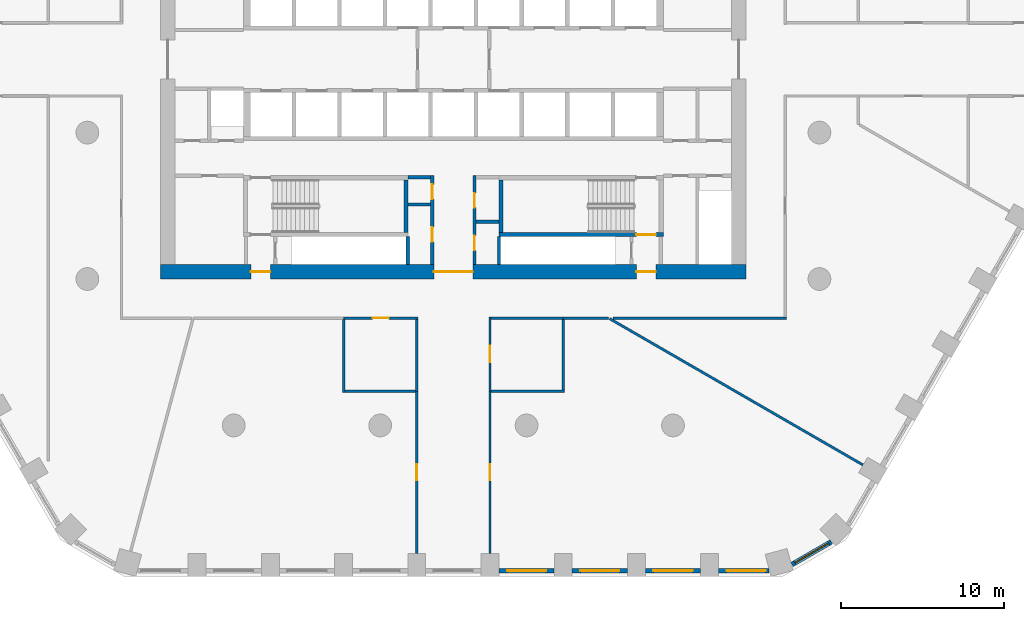
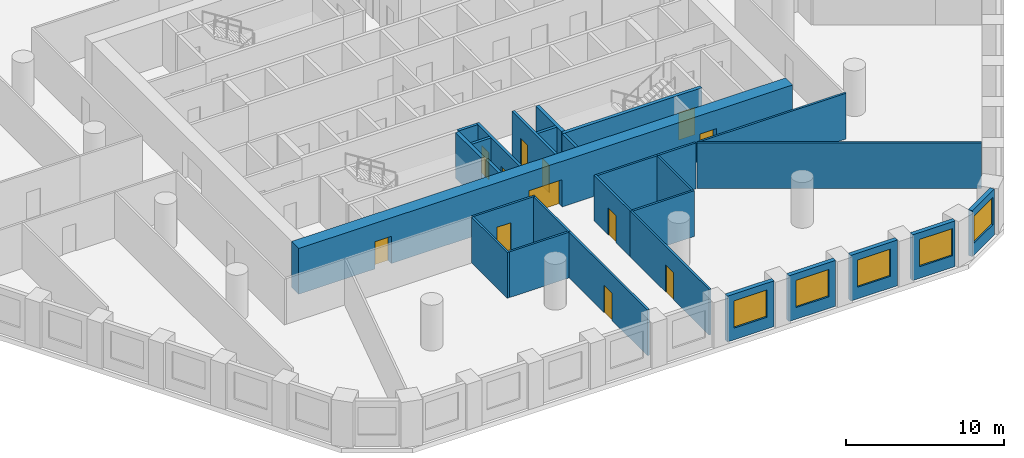
# One storey, part 3 of 10: 29 walls, 12 doors, 5 windows, 17 openings.
"""IFC4 building model written with IfcOpenShell, lengths in metres."""

from ifc_helpers import new_model, si_unit, direction, frame, frame_2d, origin, place, context, subcontext, project, spatial, rectangle, extrude, material, layer, layer_set, type_object, element, fill, save


model = new_model("IFC4")

# Units and contexts
model_context = context("Model", 3, precision=1e-05, world=origin(), true_north=direction((0.0, 1.0)))
body_context = subcontext(model_context, "Body", "Model", "MODEL_VIEW")
ifc_project = project(units=[si_unit("LENGTHUNIT", "METRE"), si_unit("AREAUNIT", "SQUARE_METRE"), si_unit("VOLUMEUNIT", "CUBIC_METRE"), si_unit("PLANEANGLEUNIT", "RADIAN"), si_unit("MASSUNIT", "GRAM", prefix="KILO")], contexts=[model_context])

# Site, building, storey
site_placement = place(None, origin())
site = spatial("IfcSite", under=ifc_project, at=site_placement, CompositionType="ELEMENT")
building_placement = place(site_placement, origin())
building = spatial("IfcBuilding", under=site, at=building_placement, Name="Dhurran Vertical Campus", CompositionType="ELEMENT")
storey_placement = place(building_placement, frame((0.0, 0.0, 69.0)))
storey = spatial("IfcBuildingStorey", under=building, at=storey_placement, Name="L16", CompositionType="ELEMENT", Elevation=69.0)

# Wall, opening, window
ifc_material_1 = material(Name="Precast concrete C50/60", Category="concrete")
ifc_layer_1 = layer(ifc_material_1, 0.300048828125)
ifc_layer_set_1 = layer_set([ifc_layer_1], Name="Precast concrete C50/60")
wall_type_1 = type_object("IfcWallType", Name="Precast spandrel wall 300", PredefinedType="SOLIDWALL", material=ifc_layer_set_1)
wall_1_placement = place(storey_placement, frame((2.800537109375, -31.4296875, 0.0), z_axis=(0.0, 0.0, 1.0), x_axis=(1.0, 0.0, 0.0)))
wall_1 = element("IfcWall", 1, at=wall_1_placement, inside=storey, type_object=wall_type_1, Name="EW1 L16.05", PredefinedType="SOLIDWALL", context=body_context, shape_type="SweptSolid", body=[
    extrude(rectangle(XDim=3.39892578125, YDim=0.300048828125, at=frame_2d((1.699462890625, 0.0))), origin(), (0.0, 0.0, 1.0), 3.52490234375),
])
opening_1_placement = place(wall_1_placement, frame((0.49951171875, 0.0, 0.89990234375)))
opening_1 = element("IfcOpeningElement", 2, at=opening_1_placement, cuts=wall_1, Name="Opening WT1", PredefinedType="OPENING", context=body_context, shape_type="SweptSolid", body=[
    extrude(rectangle(XDim=2.39990234375, YDim=2.10009765625, at=frame_2d((1.199951171875, 1.050048828125))), frame((0.0, 0.159912109375, 0.0), z_axis=(0.0, -1.0, 0.0), x_axis=(1.0, 0.0, 0.0)), (0.0, 0.0, 1.0), 0.320068359375),
])
ifc_material_2 = material(Name="Aluminium frame with solar-control glass", Category="aluminium")
window_type = type_object("IfcWindowType", Name="Punched window 2400 x 2100", PartitioningType="SINGLE_PANEL", PredefinedType="WINDOW", material=ifc_material_2)
window_1_placement = place(opening_1_placement, origin())
window_1 = element("IfcWindow", 3, at=window_1_placement, inside=storey, type_object=window_type, Name="WT1 L16.05", OverallHeight=2.10009765625, OverallWidth=2.39990234375, PartitioningType="SINGLE_PANEL", PredefinedType="WINDOW", context=body_context, shape_type="SweptSolid", body=[
    extrude(rectangle(XDim=2.39990234375, YDim=2.10009765625, at=frame_2d((1.199951171875, 1.050048828125))), frame((0.0, 0.030029296875, 0.0), z_axis=(0.0, -1.0, 0.0), x_axis=(1.0, 0.0, 0.0)), (0.0, 0.0, 1.0), 0.06005859375),
])
fill(opening_1, window_1)

wall_2_placement = place(storey_placement, frame((7.300537109375, -31.4296875, 0.0), z_axis=(0.0, 0.0, 1.0), x_axis=(1.0, 0.0, 0.0)))
wall_2 = element("IfcWall", 4, at=wall_2_placement, inside=storey, type_object=wall_type_1, Name="EW1 L16.06", PredefinedType="SOLIDWALL", context=body_context, shape_type="SweptSolid", body=[
    extrude(rectangle(XDim=3.39892578125, YDim=0.300048828125, at=frame_2d((1.699462890625, 0.0))), origin(), (0.0, 0.0, 1.0), 3.52490234375),
])
opening_2_placement = place(wall_2_placement, frame((0.49951171875, 0.0, 0.89990234375)))
opening_2 = element("IfcOpeningElement", 5, at=opening_2_placement, cuts=wall_2, Name="Opening WT1", PredefinedType="OPENING", context=body_context, shape_type="SweptSolid", body=[
    extrude(rectangle(XDim=2.39990234375, YDim=2.10009765625, at=frame_2d((1.199951171875, 1.050048828125))), frame((0.0, 0.159912109375, 0.0), z_axis=(0.0, -1.0, 0.0), x_axis=(1.0, 0.0, 0.0)), (0.0, 0.0, 1.0), 0.320068359375),
])
window_2_placement = place(opening_2_placement, origin())
window_2 = element("IfcWindow", 6, at=window_2_placement, inside=storey, type_object=window_type, Name="WT1 L16.06", OverallHeight=2.10009765625, OverallWidth=2.39990234375, PartitioningType="SINGLE_PANEL", PredefinedType="WINDOW", context=body_context, shape_type="SweptSolid", body=[
    extrude(rectangle(XDim=2.39990234375, YDim=2.10009765625, at=frame_2d((1.199951171875, 1.050048828125))), frame((0.0, 0.030029296875, 0.0), z_axis=(0.0, -1.0, 0.0), x_axis=(1.0, 0.0, 0.0)), (0.0, 0.0, 1.0), 0.06005859375),
])
fill(opening_2, window_2)

wall_3_placement = place(storey_placement, frame((11.800537109375, -31.4296875, 0.0), z_axis=(0.0, 0.0, 1.0), x_axis=(1.0, 0.0, 0.0)))
wall_3 = element("IfcWall", 7, at=wall_3_placement, inside=storey, type_object=wall_type_1, Name="EW1 L16.07", PredefinedType="SOLIDWALL", context=body_context, shape_type="SweptSolid", body=[
    extrude(rectangle(XDim=3.39892578125, YDim=0.300048828125, at=frame_2d((1.699462890625, 0.0))), origin(), (0.0, 0.0, 1.0), 3.52490234375),
])
opening_3_placement = place(wall_3_placement, frame((0.49951171875, 0.0, 0.89990234375)))
opening_3 = element("IfcOpeningElement", 8, at=opening_3_placement, cuts=wall_3, Name="Opening WT1", PredefinedType="OPENING", context=body_context, shape_type="SweptSolid", body=[
    extrude(rectangle(XDim=2.39990234375, YDim=2.10009765625, at=frame_2d((1.199951171875, 1.050048828125))), frame((0.0, 0.159912109375, 0.0), z_axis=(0.0, -1.0, 0.0), x_axis=(1.0, 0.0, 0.0)), (0.0, 0.0, 1.0), 0.320068359375),
])
window_3_placement = place(opening_3_placement, origin())
window_3 = element("IfcWindow", 9, at=window_3_placement, inside=storey, type_object=window_type, Name="WT1 L16.07", OverallHeight=2.10009765625, OverallWidth=2.39990234375, PartitioningType="SINGLE_PANEL", PredefinedType="WINDOW", context=body_context, shape_type="SweptSolid", body=[
    extrude(rectangle(XDim=2.39990234375, YDim=2.10009765625, at=frame_2d((1.199951171875, 1.050048828125))), frame((0.0, 0.030029296875, 0.0), z_axis=(0.0, -1.0, 0.0), x_axis=(1.0, 0.0, 0.0)), (0.0, 0.0, 1.0), 0.06005859375),
])
fill(opening_3, window_3)

wall_4_placement = place(storey_placement, frame((16.300537109375, -31.4296875, 0.0), z_axis=(0.0, 0.0, 1.0), x_axis=(1.0, 0.0, 0.0)))
wall_4 = element("IfcWall", 10, at=wall_4_placement, inside=storey, type_object=wall_type_1, Name="EW1 L16.08", PredefinedType="SOLIDWALL", context=body_context, shape_type="SweptSolid", body=[
    extrude(rectangle(XDim=3.090576171875, YDim=0.300048828125, at=frame_2d((1.54541015625, 0.0))), origin(), (0.0, 0.0, 1.0), 3.52490234375),
])
opening_4_placement = place(wall_4_placement, frame((0.49951171875, 0.0, 0.89990234375)))
opening_4 = element("IfcOpeningElement", 11, at=opening_4_placement, cuts=wall_4, Name="Opening WT1", PredefinedType="OPENING", context=body_context, shape_type="SweptSolid", body=[
    extrude(rectangle(XDim=2.39990234375, YDim=2.10009765625, at=frame_2d((1.199951171875, 1.050048828125))), frame((0.0, 0.159912109375, 0.0), z_axis=(0.0, -1.0, 0.0), x_axis=(1.0, 0.0, 0.0)), (0.0, 0.0, 1.0), 0.320068359375),
])
window_4_placement = place(opening_4_placement, origin())
window_4 = element("IfcWindow", 12, at=window_4_placement, inside=storey, type_object=window_type, Name="WT1 L16.08", OverallHeight=2.10009765625, OverallWidth=2.39990234375, PartitioningType="SINGLE_PANEL", PredefinedType="WINDOW", context=body_context, shape_type="SweptSolid", body=[
    extrude(rectangle(XDim=2.39990234375, YDim=2.10009765625, at=frame_2d((1.199951171875, 1.050048828125))), frame((0.0, 0.030029296875, 0.0), z_axis=(0.0, -1.0, 0.0), x_axis=(1.0, 0.0, 0.0)), (0.0, 0.0, 1.0), 0.06005859375),
])
fill(opening_4, window_4)

wall_5_placement = place(storey_placement, frame((20.81884765625, -31.047119140625, 0.0), z_axis=(0.0, 0.0, 1.0), x_axis=(0.866020456713, 0.500008568482, 0.0)))
wall_5 = element("IfcWall", 13, at=wall_5_placement, inside=storey, type_object=wall_type_1, Name="EW1 L16.09", PredefinedType="SOLIDWALL", context=body_context, shape_type="SweptSolid", body=[
    extrude(rectangle(XDim=2.7822265625, YDim=0.300048828125, at=frame_2d((1.39111328125, 0.0))), origin(), (0.0, 0.0, 1.0), 3.52490234375),
])
opening_5_placement = place(wall_5_placement, frame((0.191162109375, 0.0, 0.89990234375)))
opening_5 = element("IfcOpeningElement", 14, at=opening_5_placement, cuts=wall_5, Name="Opening WT1", PredefinedType="OPENING", context=body_context, shape_type="SweptSolid", body=[
    extrude(rectangle(XDim=2.39990234375, YDim=2.10009765625, at=frame_2d((1.199951171875, 1.050048828125))), frame((0.0, 0.159912109375, 0.0), z_axis=(0.0, -1.0, 0.0), x_axis=(1.0, 0.0, 0.0)), (0.0, 0.0, 1.0), 0.320068359375),
])
window_5_placement = place(opening_5_placement, origin())
window_5 = element("IfcWindow", 15, at=window_5_placement, inside=storey, type_object=window_type, Name="WT1 L16.09", OverallHeight=2.10009765625, OverallWidth=2.39990234375, PartitioningType="SINGLE_PANEL", PredefinedType="WINDOW", context=body_context, shape_type="SweptSolid", body=[
    extrude(rectangle(XDim=2.39990234375, YDim=2.10009765625, at=frame_2d((1.199951171875, 1.050048828125))), frame((0.0, 0.030029296875, 0.0), z_axis=(0.0, -1.0, 0.0), x_axis=(1.0, 0.0, 0.0)), (0.0, 0.0, 1.0), 0.06005859375),
])
fill(opening_5, window_5)

# Wall, openings, doors
ifc_material_3 = material(Name="Concrete C60/75", Category="concrete")
ifc_layer_2 = layer(ifc_material_3, 0.89990234375)
ifc_layer_set_2 = layer_set([ifc_layer_2], Name="Concrete C60/75")
wall_type_2 = type_object("IfcWallType", Name="co-CORE-WALL-C0-900", PredefinedType="SHEAR", material=ifc_layer_set_2)
wall_6_placement = place(storey_placement, frame((-18.0, -13.050048828125, 0.0), z_axis=(0.0, 0.0, 1.0), x_axis=(1.0, 0.0, 0.0)))
wall_6 = element("IfcWall", 16, at=wall_6_placement, inside=storey, type_object=wall_type_2, Name="Core wall S L16", PredefinedType="SHEAR", context=body_context, shape_type="SweptSolid", body=[
    extrude(rectangle(XDim=36.0, YDim=0.89990234375, at=frame_2d((18.0, 0.0))), origin(), (0.0, 0.0, 1.0), 3.52490234375),
])
opening_6_placement = place(wall_6_placement, frame((16.800048828125, 0.0, 0.0)))
opening_6 = element("IfcOpeningElement", 17, at=opening_6_placement, cuts=wall_6, Name="Opening CV2", PredefinedType="OPENING", context=body_context, shape_type="SweptSolid", body=[
    extrude(rectangle(XDim=2.39990234375, YDim=2.10009765625, at=frame_2d((1.199951171875, 1.050048828125))), frame((0.0, 0.4599609375, 0.0), z_axis=(0.0, -1.0, 0.0), x_axis=(1.0, 0.0, 0.0)), (0.0, 0.0, 1.0), 0.919921875),
])
opening_7_placement = place(wall_6_placement, frame((5.550048828125, 0.0, 0.0)))
opening_7 = element("IfcOpeningElement", 18, at=opening_7_placement, cuts=wall_6, Name="Opening XD3", PredefinedType="OPENING", context=body_context, shape_type="SweptSolid", body=[
    extrude(rectangle(XDim=1.199951171875, YDim=2.10009765625, at=frame_2d((0.60009765625, 1.050048828125))), frame((0.0, 0.4599609375, 0.0), z_axis=(0.0, -1.0, 0.0), x_axis=(1.0, 0.0, 0.0)), (0.0, 0.0, 1.0), 0.919921875),
])
opening_8_placement = place(wall_6_placement, frame((29.25, 0.0, 0.0)))
opening_8 = element("IfcOpeningElement", 19, at=opening_8_placement, cuts=wall_6, Name="Opening XD4", PredefinedType="OPENING", context=body_context, shape_type="SweptSolid", body=[
    extrude(rectangle(XDim=1.199951171875, YDim=2.10009765625, at=frame_2d((0.60009765625, 1.050048828125))), frame((0.0, 0.4599609375, 0.0), z_axis=(0.0, -1.0, 0.0), x_axis=(1.0, 0.0, 0.0)), (0.0, 0.0, 1.0), 0.919921875),
])
ifc_material_4 = material(Name="Fire-rated glazed door set")
door_type_1 = type_object("IfcDoorType", Name="co-D-LOBBY 2400x2100", OperationType="DOUBLE_DOOR_DOUBLE_SWING", PredefinedType="DOOR", material=ifc_material_4)
door_1_placement = place(opening_6_placement, origin())
door_1 = element("IfcDoor", 20, at=door_1_placement, inside=storey, type_object=door_type_1, Name="Core vestibule door S L16", OperationType="DOUBLE_DOOR_DOUBLE_SWING", OverallHeight=2.10009765625, OverallWidth=2.39990234375, PredefinedType="DOOR", context=body_context, shape_type="SweptSolid", body=[
    extrude(rectangle(XDim=2.39990234375, YDim=2.10009765625, at=frame_2d((1.199951171875, 1.050048828125))), frame((0.0, 0.02490234375, 0.0), z_axis=(0.0, -1.0, 0.0), x_axis=(1.0, 0.0, 0.0)), (0.0, 0.0, 1.0), 0.050048828125),
])
fill(opening_6, door_1)
ifc_material_5 = material(Name="Fire-rated steel door set", Category="steel")
door_type_2 = type_object("IfcDoorType", Name="co-D-STAIR-EXIT 1200x2100", OperationType="SINGLE_SWING_RIGHT", PredefinedType="DOOR", material=ifc_material_5)
door_2_placement = place(opening_7_placement, origin())
door_2 = element("IfcDoor", 21, at=door_2_placement, inside=storey, type_object=door_type_2, Name="Stair ST3 exit door L16", OperationType="SINGLE_SWING_RIGHT", OverallHeight=2.10009765625, OverallWidth=1.199951171875, PredefinedType="DOOR", context=body_context, shape_type="SweptSolid", body=[
    extrude(rectangle(XDim=1.199951171875, YDim=2.10009765625, at=frame_2d((0.60009765625, 1.050048828125))), frame((0.0, 0.02490234375, 0.0), z_axis=(0.0, -1.0, 0.0), x_axis=(1.0, 0.0, 0.0)), (0.0, 0.0, 1.0), 0.050048828125),
])
fill(opening_7, door_2)
door_3_placement = place(opening_8_placement, origin())
door_3 = element("IfcDoor", 22, at=door_3_placement, inside=storey, type_object=door_type_2, Name="Stair ST4 exit door L16", OperationType="SINGLE_SWING_RIGHT", OverallHeight=2.10009765625, OverallWidth=1.199951171875, PredefinedType="DOOR", context=body_context, shape_type="SweptSolid", body=[
    extrude(rectangle(XDim=1.199951171875, YDim=2.10009765625, at=frame_2d((0.60009765625, 1.050048828125))), frame((0.0, 0.02490234375, 0.0), z_axis=(0.0, -1.0, 0.0), x_axis=(1.0, 0.0, 0.0)), (0.0, 0.0, 1.0), 0.050048828125),
])
fill(opening_8, door_3)

# Walls
ifc_material_6 = material(Name="Fire-rated masonry blockwork", Category="masonry")
ifc_layer_3 = layer(ifc_material_6, 0.199951171875)
ifc_layer_set_3 = layer_set([ifc_layer_3], Name="Fire-rated masonry blockwork")
wall_type_3 = type_object("IfcWallType", Name="co-FIRE-PARTITION-200", PredefinedType="PARTITIONING", material=ifc_layer_set_3)
for number, where, z_axis, x_axis, name in (
    (23, (-2.800048828125, -7.25, 0.0), (0.0, 0.0, 1.0), (1.0, 0.0, 0.0), "Core partition sl-SW-S L16"),
    (24, (-2.800048828125, -8.925048828125, 0.0), (0.0, 0.0, 1.0), (1.0, 0.0, 0.0), "Core partition sl-SW-cut0 L16"),
    (25, (1.39990234375, -9.97509765625, 0.0), (0.0, 0.0, 1.0), (1.0, 0.0, 0.0), "Core partition sl-SE-cut0 L16"),
):
    element("IfcWall", number, at=place(storey_placement, frame(where, z_axis=z_axis, x_axis=x_axis)), inside=storey, type_object=wall_type_3, Name=name, PredefinedType="PARTITIONING", context=body_context, shape_type="SweptSolid", body=[
        extrude(rectangle(XDim=1.400146484375, YDim=0.199951171875, at=frame_2d((0.7001953125, 0.0))), origin(), (0.0, 0.0, 1.0), 3.52490234375),
    ])

# Wall, openings, doors
wall_7_placement = place(storey_placement, frame((-1.300048828125, -12.60009765625, 0.0), z_axis=(0.0, 0.0, 1.0), x_axis=(0.0, 1.0, 0.0)))
wall_7 = element("IfcWall", 26, at=wall_7_placement, inside=storey, type_object=wall_type_3, Name="Core partition vest-SW L16", PredefinedType="PARTITIONING", context=body_context, shape_type="SweptSolid", body=[
    extrude(rectangle(XDim=5.4501953125, YDim=0.199951171875, at=frame_2d((2.72509765625, 0.0))), origin(), (0.0, 0.0, 1.0), 3.52490234375),
])
opening_9_placement = place(wall_7_placement, frame((1.387451171875, 0.0, 0.0)))
opening_9 = element("IfcOpeningElement", 27, at=opening_9_placement, cuts=wall_7, Name="Opening T04-C1", PredefinedType="OPENING", context=body_context, shape_type="SweptSolid", body=[
    extrude(rectangle(XDim=0.89990234375, YDim=2.10009765625, at=frame_2d((0.449951171875, 1.050048828125))), frame((0.0, 0.10986328125, 0.0), z_axis=(0.0, -1.0, 0.0), x_axis=(1.0, 0.0, 0.0)), (0.0, 0.0, 1.0), 0.219970703125),
])
opening_10_placement = place(wall_7_placement, frame((4.012451171875, 0.0, 0.0)))
opening_10 = element("IfcOpeningElement", 28, at=opening_10_placement, cuts=wall_7, Name="Opening T04-C2", PredefinedType="OPENING", context=body_context, shape_type="SweptSolid", body=[
    extrude(rectangle(XDim=0.89990234375, YDim=2.10009765625, at=frame_2d((0.449951171875, 1.050048828125))), frame((0.0, 0.10986328125, 0.0), z_axis=(0.0, -1.0, 0.0), x_axis=(1.0, 0.0, 0.0)), (0.0, 0.0, 1.0), 0.219970703125),
])
ifc_material_7 = material(Name="Fire-rated timber door set", Category="wood")
door_type_3 = type_object("IfcDoorType", Name="co-D-ROOM 900x2100", OperationType="SINGLE_SWING_LEFT", PredefinedType="DOOR", material=ifc_material_7)
door_4_placement = place(opening_9_placement, origin())
door_4 = element("IfcDoor", 29, at=door_4_placement, inside=storey, type_object=door_type_3, Name="Housekeeping store door L16", OperationType="SINGLE_SWING_LEFT", OverallHeight=2.10009765625, OverallWidth=0.89990234375, PredefinedType="DOOR", context=body_context, shape_type="SweptSolid", body=[
    extrude(rectangle(XDim=0.89990234375, YDim=2.10009765625, at=frame_2d((0.449951171875, 1.050048828125))), frame((0.0, 0.02490234375, 0.0), z_axis=(0.0, -1.0, 0.0), x_axis=(1.0, 0.0, 0.0)), (0.0, 0.0, 1.0), 0.050048828125),
])
fill(opening_9, door_4)
door_5_placement = place(opening_10_placement, origin())
door_5 = element("IfcDoor", 30, at=door_5_placement, inside=storey, type_object=door_type_3, Name="Server room door L16", OperationType="SINGLE_SWING_LEFT", OverallHeight=2.10009765625, OverallWidth=0.89990234375, PredefinedType="DOOR", context=body_context, shape_type="SweptSolid", body=[
    extrude(rectangle(XDim=0.89990234375, YDim=2.10009765625, at=frame_2d((0.449951171875, 1.050048828125))), frame((0.0, 0.02490234375, 0.0), z_axis=(0.0, -1.0, 0.0), x_axis=(1.0, 0.0, 0.0)), (0.0, 0.0, 1.0), 0.050048828125),
])
fill(opening_10, door_5)

wall_8_placement = place(storey_placement, frame((1.300048828125, -12.60009765625, 0.0), z_axis=(0.0, 0.0, 1.0), x_axis=(0.0, 1.0, 0.0)))
wall_8 = element("IfcWall", 31, at=wall_8_placement, inside=storey, type_object=wall_type_3, Name="Core partition vest-SE L16", PredefinedType="PARTITIONING", context=body_context, shape_type="SweptSolid", body=[
    extrude(rectangle(XDim=5.4501953125, YDim=0.199951171875, at=frame_2d((2.72509765625, 0.0))), origin(), (0.0, 0.0, 1.0), 3.52490234375),
])
opening_11_placement = place(wall_8_placement, frame((0.862548828125, 0.0, 0.0)))
opening_11 = element("IfcOpeningElement", 32, at=opening_11_placement, cuts=wall_8, Name="Opening T04-C3", PredefinedType="OPENING", context=body_context, shape_type="SweptSolid", body=[
    extrude(rectangle(XDim=0.89990234375, YDim=2.10009765625, at=frame_2d((0.449951171875, 1.050048828125))), frame((0.0, 0.10986328125, 0.0), z_axis=(0.0, -1.0, 0.0), x_axis=(1.0, 0.0, 0.0)), (0.0, 0.0, 1.0), 0.219970703125),
])
opening_12_placement = place(wall_8_placement, frame((3.487548828125, 0.0, 0.0)))
opening_12 = element("IfcOpeningElement", 33, at=opening_12_placement, cuts=wall_8, Name="Opening T04-C4", PredefinedType="OPENING", context=body_context, shape_type="SweptSolid", body=[
    extrude(rectangle(XDim=0.89990234375, YDim=2.10009765625, at=frame_2d((0.449951171875, 1.050048828125))), frame((0.0, 0.10986328125, 0.0), z_axis=(0.0, -1.0, 0.0), x_axis=(1.0, 0.0, 0.0)), (0.0, 0.0, 1.0), 0.219970703125),
])
door_6_placement = place(opening_11_placement, origin())
door_6 = element("IfcDoor", 34, at=door_6_placement, inside=storey, type_object=door_type_3, Name="Communications room door L16", OperationType="SINGLE_SWING_LEFT", OverallHeight=2.10009765625, OverallWidth=0.89990234375, PredefinedType="DOOR", context=body_context, shape_type="SweptSolid", body=[
    extrude(rectangle(XDim=0.89990234375, YDim=2.10009765625, at=frame_2d((0.449951171875, 1.050048828125))), frame((0.0, 0.02490234375, 0.0), z_axis=(0.0, -1.0, 0.0), x_axis=(1.0, 0.0, 0.0)), (0.0, 0.0, 1.0), 0.050048828125),
])
fill(opening_11, door_6)
door_7_placement = place(opening_12_placement, origin())
door_7 = element("IfcDoor", 35, at=door_7_placement, inside=storey, type_object=door_type_3, Name="Fire equipment store door L16", OperationType="SINGLE_SWING_LEFT", OverallHeight=2.10009765625, OverallWidth=0.89990234375, PredefinedType="DOOR", context=body_context, shape_type="SweptSolid", body=[
    extrude(rectangle(XDim=0.89990234375, YDim=2.10009765625, at=frame_2d((0.449951171875, 1.050048828125))), frame((0.0, 0.02490234375, 0.0), z_axis=(0.0, -1.0, 0.0), x_axis=(1.0, 0.0, 0.0)), (0.0, 0.0, 1.0), 0.050048828125),
])
fill(opening_12, door_7)

# Walls
for number, where, z_axis, x_axis, name in (
    (36, (-2.800048828125, -12.59912109375, 0.0), (0.0, 0.0, 1.0), (0.0, 1.0, 0.0), "Riser enclosure wall L16"),
    (37, (2.800048828125, -10.90087890625, 0.0), (0.0, 0.0, 1.0), (0.0, -1.0, 0.0), "Riser enclosure wall L16"),
):
    element("IfcWall", number, at=place(storey_placement, frame(where, z_axis=z_axis, x_axis=x_axis)), inside=storey, type_object=wall_type_3, Name=name, PredefinedType="PARTITIONING", context=body_context, shape_type="SweptSolid", body=[
        extrude(rectangle(XDim=1.6982421875, YDim=0.199951171875, at=frame_2d((0.84912109375, 0.0))), origin(), (0.0, 0.0, 1.0), 3.52490234375),
    ])
ifc_material_8 = material(Name="Concrete C40/50", Category="concrete")
ifc_layer_4 = layer(ifc_material_8, 0.25)
ifc_layer_set_4 = layer_set([ifc_layer_4], Name="Concrete C40/50")
wall_type_4 = type_object("IfcWallType", Name="co-STAIR-WALL-250", PredefinedType="SHEAR", material=ifc_layer_set_4)
wall_9_placement = place(storey_placement, frame((-2.925048828125, -10.64990234375, 0.0), z_axis=(0.0, 0.0, 1.0), x_axis=(0.0, 1.0, 0.0)))
element("IfcWall", 38, at=wall_9_placement, inside=storey, type_object=wall_type_4, Name="Stair ST3 enclosure wall L16", PredefinedType="SHEAR", context=body_context, shape_type="SweptSolid", body=[
    extrude(rectangle(XDim=3.25, YDim=0.25, at=frame_2d((1.625, 0.0))), origin(), (0.0, 0.0, 1.0), 3.52490234375),
])

# Wall, opening, door
wall_10_placement = place(storey_placement, frame((2.800048828125, -10.77490234375, 0.0), z_axis=(0.0, 0.0, 1.0), x_axis=(1.0, 0.0, 0.0)))
wall_10 = element("IfcWall", 39, at=wall_10_placement, inside=storey, type_object=wall_type_4, Name="Stair ST4 enclosure wall L16", PredefinedType="SHEAR", context=body_context, shape_type="SweptSolid", body=[
    extrude(rectangle(XDim=10.099853515625, YDim=0.25, at=frame_2d((5.0498046875, 0.0))), origin(), (0.0, 0.0, 1.0), 3.52490234375),
])
opening_13_placement = place(wall_10_placement, frame((8.449951171875, 0.0, 0.0)))
opening_13 = element("IfcOpeningElement", 40, at=opening_13_placement, cuts=wall_10, Name="Opening XS4", PredefinedType="OPENING", context=body_context, shape_type="SweptSolid", body=[
    extrude(rectangle(XDim=1.199951171875, YDim=2.10009765625, at=frame_2d((0.60009765625, 1.050048828125))), frame((0.0, 0.135009765625, 0.0), z_axis=(0.0, -1.0, 0.0), x_axis=(1.0, 0.0, 0.0)), (0.0, 0.0, 1.0), 0.27001953125),
])
door_8_placement = place(opening_13_placement, origin())
door_8 = element("IfcDoor", 41, at=door_8_placement, inside=storey, type_object=door_type_2, Name="Stair ST4 discharge door L16", OperationType="SINGLE_SWING_RIGHT", OverallHeight=2.10009765625, OverallWidth=1.199951171875, PredefinedType="DOOR", context=body_context, shape_type="SweptSolid", body=[
    extrude(rectangle(XDim=1.199951171875, YDim=2.10009765625, at=frame_2d((0.60009765625, 1.050048828125))), frame((0.0, 0.02490234375, 0.0), z_axis=(0.0, -1.0, 0.0), x_axis=(1.0, 0.0, 0.0)), (0.0, 0.0, 1.0), 0.050048828125),
])
fill(opening_13, door_8)

# Wall
wall_11_placement = place(storey_placement, frame((2.925048828125, -10.64990234375, 0.0), z_axis=(0.0, 0.0, 1.0), x_axis=(0.0, 1.0, 0.0)))
element("IfcWall", 42, at=wall_11_placement, inside=storey, type_object=wall_type_4, Name="Stair ST4 enclosure wall L16", PredefinedType="SHEAR", context=body_context, shape_type="SweptSolid", body=[
    extrude(rectangle(XDim=3.25, YDim=0.25, at=frame_2d((1.625, 0.0))), origin(), (0.0, 0.0, 1.0), 3.52490234375),
])

# Wall, opening, door
ifc_material_9 = material(Name="Gypsum board corridor wall on steel studs", Category="steel")
ifc_layer_5 = layer(ifc_material_9, 0.14990234375)
ifc_layer_set_5 = layer_set([ifc_layer_5], Name="Gypsum board corridor wall on steel studs")
wall_type_5 = type_object("IfcWallType", Name="fl-CW-150 corridor wall", PredefinedType="PARTITIONING", material=ifc_layer_set_5)
wall_12_placement = place(storey_placement, frame((-6.75, -15.89990234375, 0.0), z_axis=(0.0, 0.0, 1.0), x_axis=(1.0, 0.0, 0.0)))
wall_12 = element("IfcWall", 43, at=wall_12_placement, inside=storey, type_object=wall_type_5, Name="Partition 16-21", PredefinedType="PARTITIONING", context=body_context, shape_type="SweptSolid", body=[
    extrude(rectangle(XDim=4.574951171875, YDim=0.14990234375, at=frame_2d((2.28759765625, 0.0))), origin(), (0.0, 0.0, 1.0), 3.52490234375),
])
opening_14_placement = place(wall_12_placement, frame((1.78759765625, 0.0, 0.0)))
opening_14 = element("IfcOpeningElement", 44, at=opening_14_placement, cuts=wall_12, Name="Opening T04.08", PredefinedType="OPENING", context=body_context, shape_type="SweptSolid", body=[
    extrude(rectangle(XDim=1.0, YDim=2.10009765625, at=frame_2d((0.5, 1.050048828125))), frame((0.0, 0.0849609375, 0.0), z_axis=(0.0, -1.0, 0.0), x_axis=(1.0, 0.0, 0.0)), (0.0, 0.0, 1.0), 0.169921875),
])
ifc_material_10 = material(Name="Solid-core timber door set, fire-rated", Category="wood")
door_type_4 = type_object("IfcDoorType", Name="fl-D-1000x2100", OperationType="SINGLE_SWING_LEFT", PredefinedType="DOOR", material=ifc_material_10)
door_9_placement = place(opening_14_placement, origin())
door_9 = element("IfcDoor", 45, at=door_9_placement, inside=storey, type_object=door_type_4, Name="Door 16.08", OperationType="SINGLE_SWING_LEFT", OverallHeight=2.10009765625, OverallWidth=1.0, PredefinedType="DOOR", context=body_context, shape_type="SweptSolid", body=[
    extrude(rectangle(XDim=1.0, YDim=2.10009765625, at=frame_2d((0.5, 1.050048828125))), frame((0.0, 0.02490234375, 0.0), z_axis=(0.0, -1.0, 0.0), x_axis=(1.0, 0.0, 0.0)), (0.0, 0.0, 1.0), 0.050048828125),
])
fill(opening_14, door_9)

wall_13_placement = place(storey_placement, frame((-2.25, -30.35986328125, 0.0), z_axis=(0.0, 0.0, 1.0), x_axis=(0.0, 1.0, 0.0)))
wall_13 = element("IfcWall", 46, at=wall_13_placement, inside=storey, type_object=wall_type_5, Name="Partition 16-22", PredefinedType="PARTITIONING", context=body_context, shape_type="SweptSolid", body=[
    extrude(rectangle(XDim=9.9599609375, YDim=0.14990234375, at=frame_2d((4.97998046875, 0.0))), origin(), (0.0, 0.0, 1.0), 3.52490234375),
])
opening_15_placement = place(wall_13_placement, frame((4.47998046875, 0.0, 0.0)))
opening_15 = element("IfcOpeningElement", 47, at=opening_15_placement, cuts=wall_13, Name="Opening T04.07", PredefinedType="OPENING", context=body_context, shape_type="SweptSolid", body=[
    extrude(rectangle(XDim=1.0, YDim=2.10009765625, at=frame_2d((0.5, 1.050048828125))), frame((0.0, 0.0849609375, 0.0), z_axis=(0.0, -1.0, 0.0), x_axis=(1.0, 0.0, 0.0)), (0.0, 0.0, 1.0), 0.169921875),
])
door_10_placement = place(opening_15_placement, origin())
door_10 = element("IfcDoor", 48, at=door_10_placement, inside=storey, type_object=door_type_4, Name="Door 16.07", OperationType="SINGLE_SWING_RIGHT", OverallHeight=2.10009765625, OverallWidth=1.0, PredefinedType="DOOR", context=body_context, shape_type="SweptSolid", body=[
    extrude(rectangle(XDim=1.0, YDim=2.10009765625, at=frame_2d((0.5, 1.050048828125))), frame((0.0, 0.02490234375, 0.0), z_axis=(0.0, -1.0, 0.0), x_axis=(1.0, 0.0, 0.0)), (0.0, 0.0, 1.0), 0.050048828125),
])
fill(opening_15, door_10)

# Wall
wall_14_placement = place(storey_placement, frame((-2.25, -20.39990234375, 0.0), z_axis=(0.0, 0.0, 1.0), x_axis=(0.0, 1.0, 0.0)))
element("IfcWall", 49, at=wall_14_placement, inside=storey, type_object=wall_type_5, Name="Partition 16-23", PredefinedType="PARTITIONING", context=body_context, shape_type="SweptSolid", body=[
    extrude(rectangle(XDim=4.4248046875, YDim=0.14990234375, at=frame_2d((2.21240234375, 0.0))), origin(), (0.0, 0.0, 1.0), 3.52490234375),
])

# Wall, opening, door
wall_15_placement = place(storey_placement, frame((2.25, -20.39990234375, 0.0), z_axis=(0.0, 0.0, 1.0), x_axis=(0.0, -1.0, 0.0)))
wall_15 = element("IfcWall", 50, at=wall_15_placement, inside=storey, type_object=wall_type_5, Name="Partition 16-24", PredefinedType="PARTITIONING", context=body_context, shape_type="SweptSolid", body=[
    extrude(rectangle(XDim=9.9599609375, YDim=0.14990234375, at=frame_2d((4.97998046875, 0.0))), origin(), (0.0, 0.0, 1.0), 3.52490234375),
])
opening_16_placement = place(wall_15_placement, frame((4.47998046875, 0.0, 0.0)))
opening_16 = element("IfcOpeningElement", 51, at=opening_16_placement, cuts=wall_15, Name="Opening T04.11", PredefinedType="OPENING", context=body_context, shape_type="SweptSolid", body=[
    extrude(rectangle(XDim=1.0, YDim=2.10009765625, at=frame_2d((0.5, 1.050048828125))), frame((0.0, 0.0849609375, 0.0), z_axis=(0.0, -1.0, 0.0), x_axis=(1.0, 0.0, 0.0)), (0.0, 0.0, 1.0), 0.169921875),
])
door_11_placement = place(opening_16_placement, origin())
door_11 = element("IfcDoor", 52, at=door_11_placement, inside=storey, type_object=door_type_4, Name="Door 16.11", OperationType="SINGLE_SWING_LEFT", OverallHeight=2.10009765625, OverallWidth=1.0, PredefinedType="DOOR", context=body_context, shape_type="SweptSolid", body=[
    extrude(rectangle(XDim=1.0, YDim=2.10009765625, at=frame_2d((0.5, 1.050048828125))), frame((0.0, 0.02490234375, 0.0), z_axis=(0.0, -1.0, 0.0), x_axis=(1.0, 0.0, 0.0)), (0.0, 0.0, 1.0), 0.050048828125),
])
fill(opening_16, door_11)

wall_16_placement = place(storey_placement, frame((2.25, -15.824951171875, 0.0), z_axis=(0.0, 0.0, 1.0), x_axis=(0.0, -1.0, 0.0)))
wall_16 = element("IfcWall", 53, at=wall_16_placement, inside=storey, type_object=wall_type_5, Name="Partition 16-25", PredefinedType="PARTITIONING", context=body_context, shape_type="SweptSolid", body=[
    extrude(rectangle(XDim=4.574951171875, YDim=0.14990234375, at=frame_2d((2.28759765625, 0.0))), origin(), (0.0, 0.0, 1.0), 3.52490234375),
])
opening_17_placement = place(wall_16_placement, frame((1.78759765625, 0.0, 0.0)))
opening_17 = element("IfcOpeningElement", 54, at=opening_17_placement, cuts=wall_16, Name="Opening T04.10", PredefinedType="OPENING", context=body_context, shape_type="SweptSolid", body=[
    extrude(rectangle(XDim=1.0, YDim=2.10009765625, at=frame_2d((0.5, 1.050048828125))), frame((0.0, 0.0849609375, 0.0), z_axis=(0.0, -1.0, 0.0), x_axis=(1.0, 0.0, 0.0)), (0.0, 0.0, 1.0), 0.169921875),
])
door_12_placement = place(opening_17_placement, origin())
door_12 = element("IfcDoor", 55, at=door_12_placement, inside=storey, type_object=door_type_4, Name="Door 16.10", OperationType="SINGLE_SWING_RIGHT", OverallHeight=2.10009765625, OverallWidth=1.0, PredefinedType="DOOR", context=body_context, shape_type="SweptSolid", body=[
    extrude(rectangle(XDim=1.0, YDim=2.10009765625, at=frame_2d((0.5, 1.050048828125))), frame((0.0, 0.02490234375, 0.0), z_axis=(0.0, -1.0, 0.0), x_axis=(1.0, 0.0, 0.0)), (0.0, 0.0, 1.0), 0.050048828125),
])
fill(opening_17, door_12)

# Walls
wall_17_placement = place(storey_placement, frame((2.324951171875, -15.89990234375, 0.0), z_axis=(0.0, 0.0, 1.0), x_axis=(1.0, 0.0, 0.0)))
element("IfcWall", 56, at=wall_17_placement, inside=storey, type_object=wall_type_5, Name="Partition 16-27", PredefinedType="PARTITIONING", context=body_context, shape_type="SweptSolid", body=[
    extrude(rectangle(XDim=4.425048828125, YDim=0.14990234375, at=frame_2d((2.21240234375, 0.0))), origin(), (0.0, 0.0, 1.0), 3.52490234375),
])
wall_18_placement = place(storey_placement, frame((6.75, -15.89990234375, 0.0), z_axis=(0.0, 0.0, 1.0), x_axis=(1.0, 0.0, 0.0)))
element("IfcWall", 57, at=wall_18_placement, inside=storey, type_object=wall_type_5, Name="Partition 16-29", PredefinedType="PARTITIONING", context=body_context, shape_type="SweptSolid", body=[
    extrude(rectangle(XDim=2.7900390625, YDim=0.14990234375, at=frame_2d((1.39501953125, 0.0))), origin(), (0.0, 0.0, 1.0), 3.52490234375),
])
wall_19_placement = place(storey_placement, frame((9.81494140625, -15.89990234375, 0.0), z_axis=(0.0, 0.0, 1.0), x_axis=(1.0, 0.0, 0.0)))
element("IfcWall", 58, at=wall_19_placement, inside=storey, type_object=wall_type_5, Name="Partition 16-32", PredefinedType="PARTITIONING", context=body_context, shape_type="SweptSolid", body=[
    extrude(rectangle(XDim=10.66015625, YDim=0.14990234375, at=frame_2d((5.330078125, 0.0))), origin(), (0.0, 0.0, 1.0), 3.52490234375),
])
ifc_material_11 = material(Name="Gypsum board partition on steel studs", Category="steel")
ifc_layer_6 = layer(ifc_material_11, 0.14990234375)
ifc_layer_set_6 = layer_set([ifc_layer_6], Name="Gypsum board partition on steel studs")
wall_type_6 = type_object("IfcWallType", Name="fl-PW-150 fixed partition", PredefinedType="PARTITIONING", material=ifc_layer_set_6)
wall_20_placement = place(storey_placement, frame((-6.75, -15.97509765625, 0.0), z_axis=(0.0, 0.0, 1.0), x_axis=(0.0, -1.0, 0.0)))
element("IfcWall", 59, at=wall_20_placement, inside=storey, type_object=wall_type_6, Name="Partition 16-19", PredefinedType="PARTITIONING", context=body_context, shape_type="SweptSolid", body=[
    extrude(rectangle(XDim=4.5, YDim=0.14990234375, at=frame_2d((2.25, 0.0))), origin(), (0.0, 0.0, 1.0), 3.52490234375),
])
wall_21_placement = place(storey_placement, frame((-6.675048828125, -20.39990234375, 0.0), z_axis=(0.0, 0.0, 1.0), x_axis=(1.0, 0.0, 0.0)))
element("IfcWall", 60, at=wall_21_placement, inside=storey, type_object=wall_type_6, Name="Partition 16-20", PredefinedType="PARTITIONING", context=body_context, shape_type="SweptSolid", body=[
    extrude(rectangle(XDim=4.35009765625, YDim=0.14990234375, at=frame_2d((2.175048828125, 0.0))), origin(), (0.0, 0.0, 1.0), 3.52490234375),
])
wall_22_placement = place(storey_placement, frame((6.824951171875, -20.39990234375, 0.0), z_axis=(0.0, 0.0, 1.0), x_axis=(-1.0, 0.0, 0.0)))
element("IfcWall", 61, at=wall_22_placement, inside=storey, type_object=wall_type_6, Name="Partition 16-26", PredefinedType="PARTITIONING", context=body_context, shape_type="SweptSolid", body=[
    extrude(rectangle(XDim=4.5, YDim=0.14990234375, at=frame_2d((2.25, 0.0))), origin(), (0.0, 0.0, 1.0), 3.52490234375),
])
wall_23_placement = place(storey_placement, frame((6.75, -15.97509765625, 0.0), z_axis=(0.0, 0.0, 1.0), x_axis=(0.0, -1.0, 0.0)))
element("IfcWall", 62, at=wall_23_placement, inside=storey, type_object=wall_type_6, Name="Partition 16-28", PredefinedType="PARTITIONING", context=body_context, shape_type="SweptSolid", body=[
    extrude(rectangle(XDim=4.349853515625, YDim=0.14990234375, at=frame_2d((2.1748046875, 0.0))), origin(), (0.0, 0.0, 1.0), 3.52490234375),
])
wall_24_placement = place(storey_placement, frame((9.60498046875, -15.9375, 0.0), z_axis=(0.0, 0.0, 1.0), x_axis=(0.866007979396, -0.500030178712, 0.0)))
element("IfcWall", 63, at=wall_24_placement, inside=storey, type_object=wall_type_6, Name="Partition 16-33", PredefinedType="PARTITIONING", context=body_context, shape_type="SweptSolid", body=[
    extrude(rectangle(XDim=17.97021484375, YDim=0.14990234375, at=frame_2d((8.985107421875, 0.0))), origin(), (0.0, 0.0, 1.0), 3.52490234375),
])

save(model, "model.ifc")
